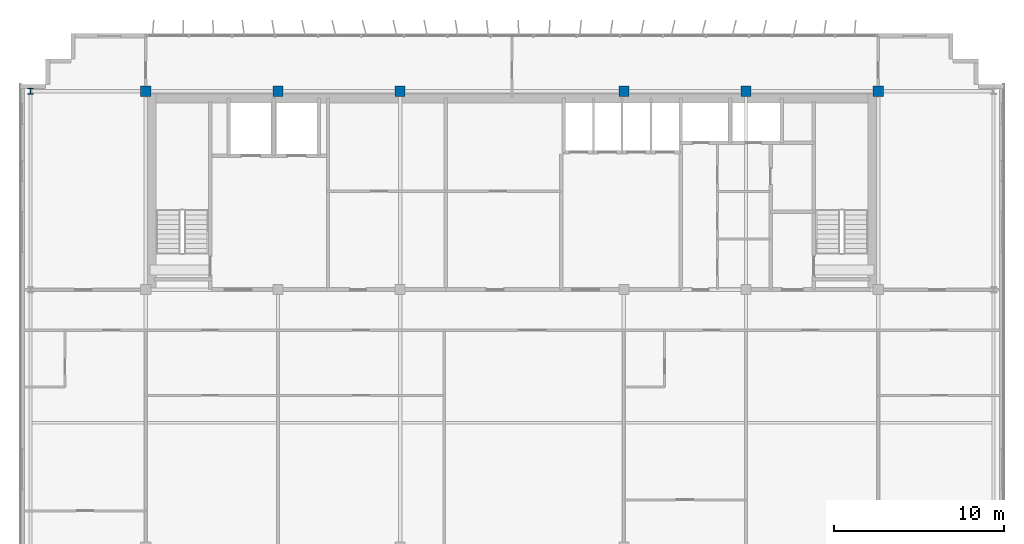
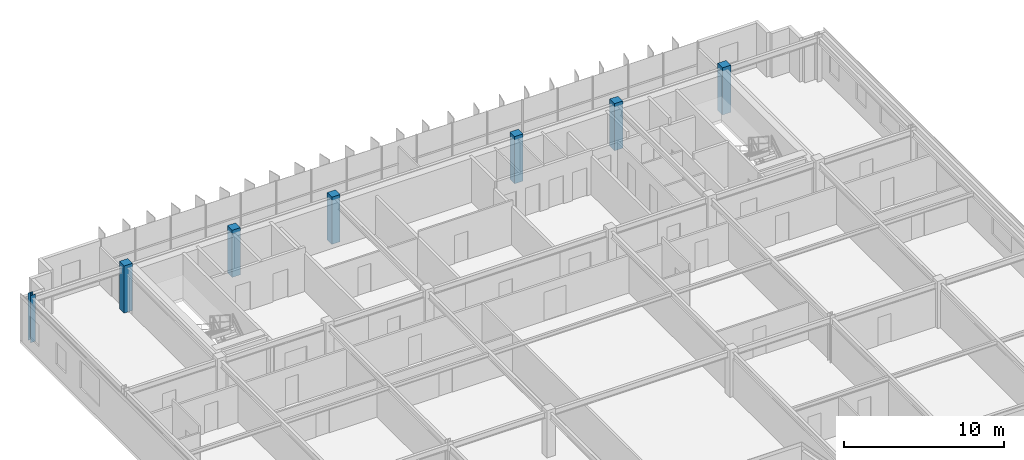
# One storey, part 3 of 22: 7 columns.
"""IFC4 building model written with IfcOpenShell, lengths in metres."""

from ifc_helpers import new_model, si_unit, direction, frame, origin, origin_2d, place, context, subcontext, project, spatial, rectangle, i_section, extrude, source, transform, mapped, material, material_profile, profile_set, type_object, element, save


model = new_model("IFC4")

# Units and contexts
model_context = context("Model", 3, precision=1e-05, world=origin(), true_north=direction((0.0, 1.0)))
body_context = subcontext(model_context, "Body", "Model", "MODEL_VIEW")
ifc_project = project(units=[si_unit("LENGTHUNIT", "METRE"), si_unit("AREAUNIT", "SQUARE_METRE"), si_unit("VOLUMEUNIT", "CUBIC_METRE"), si_unit("PLANEANGLEUNIT", "RADIAN"), si_unit("MASSUNIT", "GRAM", prefix="KILO")], contexts=[model_context])

# Site, building, storey
site_placement = place(None, origin())
site = spatial("IfcSite", under=ifc_project, at=site_placement, CompositionType="ELEMENT")
building_placement = place(site_placement, origin())
building = spatial("IfcBuilding", under=site, at=building_placement, Name="Trelvane Seafront Commons", CompositionType="ELEMENT")
storey_placement = place(building_placement, frame((0.0, 0.0, 288.300048828125)))
storey = spatial("IfcBuildingStorey", under=building, at=storey_placement, Name="L75", CompositionType="ELEMENT", Elevation=288.300048828125)

# Columns
ifc_material_1 = material(Name="Steel SM355 (S355)", Category="steel")
ifc_material_profile_1 = material_profile(ifc_material_1, i_section(OverallWidth=0.35009765625, OverallDepth=0.35009765625, WebThickness=0.01806640625, FlangeThickness=0.028076171875, at=origin_2d()), Name="HD-350x350x18x28")
ifc_profile_set_1 = profile_set([ifc_material_profile_1], Name="Steel SM355 (S355)")
column_type_1 = type_object("IfcColumnType", Name="STR-COL-HD350", PredefinedType="COLUMN", material=ifc_profile_set_1)
shared_shape_1 = source(origin(), body_context, "Body", "SweptSolid", [
    extrude(i_section(OverallWidth=0.35009765625, OverallDepth=0.35009765625, WebThickness=0.01806640625, FlangeThickness=0.028076171875, at=origin_2d()), origin(), (0.0, 0.0, 1.0), 3.599853515625),
])
column_placement = place(storey_placement, frame((8.800048828125, 45.10009765625, 0.0), z_axis=(0.0, 0.0, 1.0), x_axis=(1.0, 0.0, 0.0)))
element("IfcColumn", 1, at=column_placement, inside=storey, type_object=column_type_1, Name="L75 Column TC-CN8.8", PredefinedType="COLUMN", context=body_context, shape_type="MappedRepresentation", body=[
    mapped(shared_shape_1, transform((0.0, 0.0, 0.0), x_axis=(1.0, 0.0, 0.0), y_axis=(0.0, 1.0, 0.0), z_axis=(0.0, 0.0, 1.0), scale=1.0)),
])
ifc_material_2 = material(Name="Concrete C50/60", Category="concrete")
ifc_material_profile_2 = material_profile(ifc_material_2, rectangle(XDim=0.60009765625, YDim=0.60009765625, at=origin_2d()), Name="RC-600x600")
ifc_profile_set_2 = profile_set([ifc_material_profile_2], Name="Concrete C50/60")
column_type_2 = type_object("IfcColumnType", Name="STR-COL-RC600", PredefinedType="COLUMN", material=ifc_profile_set_2)
shared_shape_2 = source(origin(), body_context, "Body", "SweptSolid", [
    extrude(rectangle(XDim=0.60009765625, YDim=0.60009765625, at=origin_2d()), origin(), (0.0, 0.0, 1.0), 3.599853515625),
])
for number, where, z_axis, x_axis, name in (
    (2, (15.60009765625, 45.10009765625, 0.0), (0.0, 0.0, 1.0), (1.0, 0.0, 0.0), "L75 Column TC-CN15.6"),
    (3, (23.39990234375, 45.10009765625, 0.0), (0.0, 0.0, 1.0), (1.0, 0.0, 0.0), "L75 Column TC-CN23.4"),
    (4, (30.60009765625, 45.10009765625, 0.0), (0.0, 0.0, 1.0), (1.0, 0.0, 0.0), "L75 Column TC-CN30.6"),
    (5, (43.800048828125, 45.10009765625, 0.0), (0.0, 0.0, 1.0), (1.0, 0.0, 0.0), "L75 Column TC-CN43.8"),
    (6, (51.0, 45.10009765625, 0.0), (0.0, 0.0, 1.0), (1.0, 0.0, 0.0), "L75 Column TC-CN51.0"),
    (7, (58.800048828125, 45.10009765625, 0.0), (0.0, 0.0, 1.0), (1.0, 0.0, 0.0), "L75 Column TC-CN58.8"),
):
    element("IfcColumn", number, at=place(storey_placement, frame(where, z_axis=z_axis, x_axis=x_axis)), inside=storey, type_object=column_type_2, Name=name, PredefinedType="COLUMN", context=body_context, shape_type="MappedRepresentation", body=[
        mapped(shared_shape_2, transform((0.0, 0.0, 0.0), x_axis=(1.0, 0.0, 0.0), y_axis=(0.0, 1.0, 0.0), z_axis=(0.0, 0.0, 1.0), scale=1.0)),
    ])

save(model, "model.ifc")
